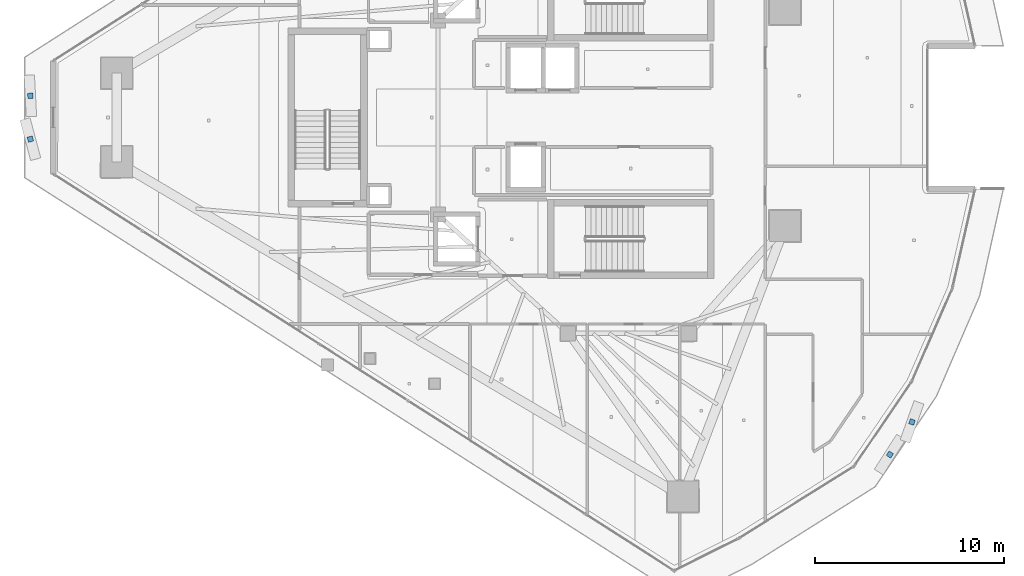
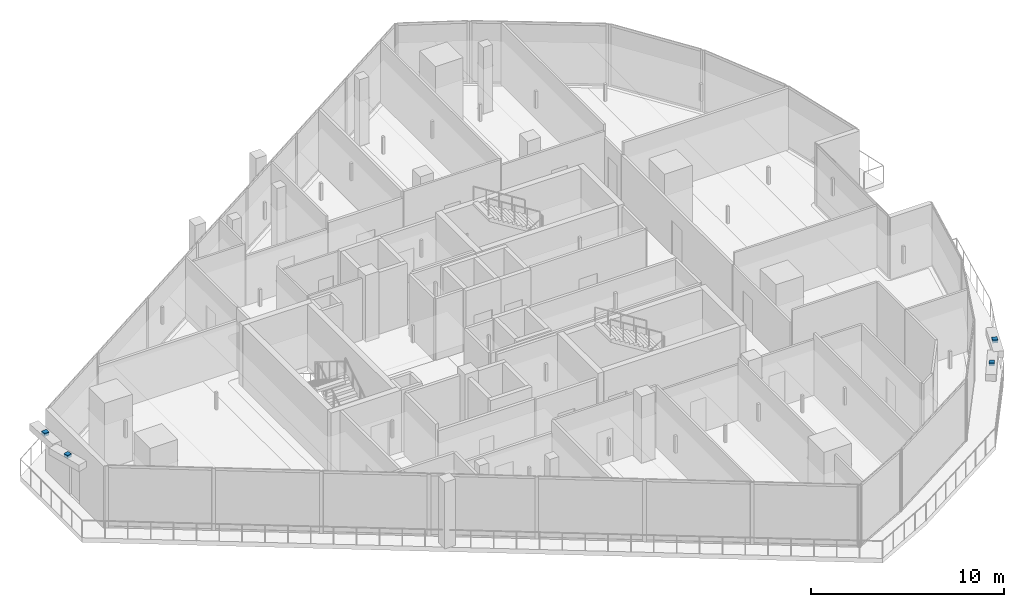
# One storey, part 30 of 36: 4 discrete accessories.
"""IFC4 building model written with IfcOpenShell, lengths in metres."""

from ifc_helpers import new_model, si_unit, direction, frame, origin, origin_2d, place, context, subcontext, project, spatial, rectangle, extrude, material, type_object, element, save


model = new_model("IFC4")

# Units and contexts
model_context = context("Model", 3, precision=1e-05, world=origin(), true_north=direction((0.0, 1.0)))
body_context = subcontext(model_context, "Body", "Model", "MODEL_VIEW")
ifc_project = project(units=[si_unit("LENGTHUNIT", "METRE"), si_unit("AREAUNIT", "SQUARE_METRE"), si_unit("VOLUMEUNIT", "CUBIC_METRE"), si_unit("PLANEANGLEUNIT", "RADIAN"), si_unit("MASSUNIT", "GRAM", prefix="KILO")], contexts=[model_context])

# Site, building, storey
site_placement = place(None, origin())
site = spatial("IfcSite", under=ifc_project, at=site_placement, CompositionType="ELEMENT")
building_placement = place(site_placement, origin())
building = spatial("IfcBuilding", under=site, at=building_placement, Name="Qorvath Tower", CompositionType="ELEMENT")
storey_placement = place(building_placement, frame((0.0, 0.0, 272.39990234375)))
storey = spatial("IfcBuildingStorey", under=building, at=storey_placement, Name="L63", CompositionType="ELEMENT", Elevation=272.39990234375)

# Discrete accessories
ifc_material = material(Name="Galvanised steel bracket", Category="steel")
discrete_accessory_type = type_object("IfcDiscreteAccessoryType", Name="DA-BRACKET", PredefinedType="BRACKET", material=ifc_material)
for number, where, z_axis, x_axis, name in (
    (1, (-52.121337890625, 1.14892578125, 3.77001953125), (0.0, 0.0, 1.0), (0.052829201106, -0.998603562737, 0.0), "Louvre Wave Support Bracket L63-01"),
    (2, (-52.121337890625, -1.14892578125, 3.77001953125), (0.0, 0.0, 1.0), (0.258041780595, -0.96613375858, 0.0), "Louvre Wave Support Bracket L63-02"),
    (3, (-6.53173828125, -17.87890625, 3.77001953125), (0.0, 0.0, 1.0), (0.539073643681, 0.842258634084, 0.0), "Louvre Wave Support Bracket L63-03"),
    (4, (-5.359619140625, -16.148681640625, 3.77001953125), (0.0, 0.0, 1.0), (0.338365126362, 0.941014899596, 0.0), "Louvre Wave Support Bracket L63-04"),
):
    element("IfcDiscreteAccessory", number, at=place(storey_placement, frame(where, z_axis=z_axis, x_axis=x_axis)), inside=storey, type_object=discrete_accessory_type, Name=name, PredefinedType="NOTDEFINED", context=body_context, shape_type="SweptSolid", body=[
        extrude(rectangle(XDim=0.280029296875, YDim=0.280029296875, at=origin_2d()), origin(), (0.0, 0.0, 1.0), 0.199951171875),
    ])

save(model, "model.ifc")
